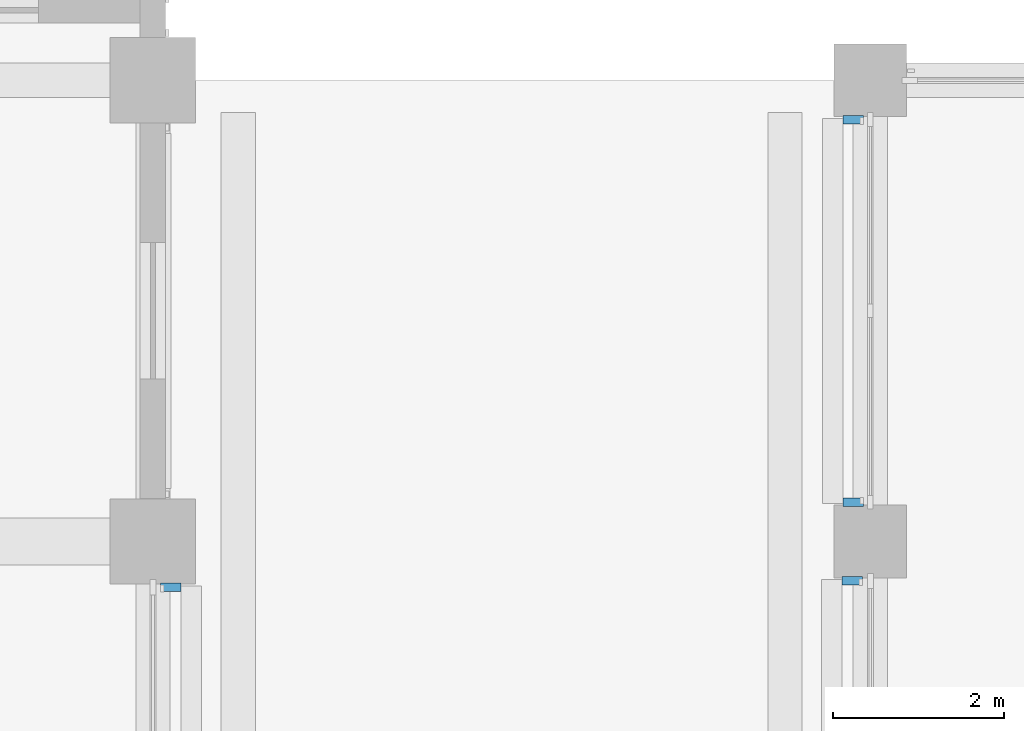
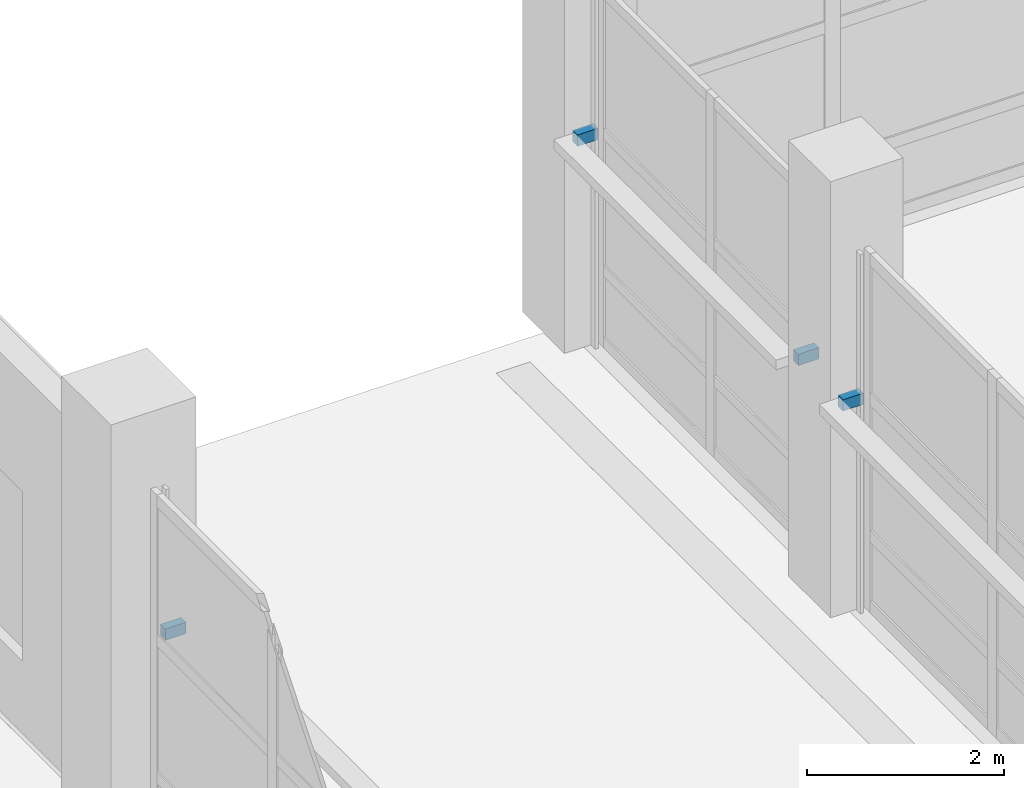
# One storey, part 88 of 140: 4 discrete accessories.
"""IFC4 building model written with IfcOpenShell, lengths in metres."""

from ifc_helpers import new_model, si_unit, direction, frame, origin, origin_2d, place, context, subcontext, project, spatial, rectangle, extrude, material, type_object, element, save


model = new_model("IFC4")

# Units and contexts
model_context = context("Model", 3, precision=1e-05, world=origin(), true_north=direction((0.0, 1.0)))
body_context = subcontext(model_context, "Body", "Model", "MODEL_VIEW")
ifc_project = project(units=[si_unit("LENGTHUNIT", "METRE"), si_unit("AREAUNIT", "SQUARE_METRE"), si_unit("VOLUMEUNIT", "CUBIC_METRE"), si_unit("PLANEANGLEUNIT", "RADIAN"), si_unit("MASSUNIT", "GRAM", prefix="KILO")], contexts=[model_context])

# Site, building, storey
site_placement = place(None, origin())
site = spatial("IfcSite", under=ifc_project, at=site_placement, CompositionType="ELEMENT")
building_placement = place(site_placement, origin())
building = spatial("IfcBuilding", under=site, at=building_placement, Name="Telukmera Botanical Conservatory", CompositionType="ELEMENT")
storey_placement = place(building_placement, origin())
storey = spatial("IfcBuildingStorey", under=building, at=storey_placement, Name="L00", CompositionType="ELEMENT", Elevation=0.0)

# Discrete accessories
ifc_material = material(Name="Steel S355", Category="steel")
discrete_accessory_type = type_object("IfcDiscreteAccessoryType", Name="Structural Steel Facade Outrigger Fin Bracket", PredefinedType="BRACKET", material=ifc_material)
for number, where, z_axis, x_axis, name in (
    (1, (117.389892578125, 42.337890625, 2.580078125), (0.0, 0.0, 1.0), (0.0, 1.0, 0.0), "Facade Outrigger Bracket V1:L00:W3 B"),
    (2, (117.39990234375, 43.259521484375, 2.580078125), (0.0, 0.0, 1.0), (0.0, 1.0, 0.0), "Facade Outrigger Bracket V1:L00:W4 A"),
    (3, (117.39990234375, 47.740478515625, 2.580078125), (0.0, 0.0, 1.0), (0.0, 1.0, 0.0), "Facade Outrigger Bracket V1:L00:W4 B"),
    (4, (109.409912109375, 42.262939453125, 2.580078125), (0.0, 0.0, 1.0), (0.0, 1.0, 0.0), "Facade Outrigger Bracket V4:L00:E4 B"),
):
    element("IfcDiscreteAccessory", number, at=place(storey_placement, frame(where, z_axis=z_axis, x_axis=x_axis)), inside=storey, type_object=discrete_accessory_type, Name=name, PredefinedType="BRACKET", context=body_context, shape_type="SweptSolid", body=[
        extrude(rectangle(XDim=0.10009765625, YDim=0.239990234375, at=origin_2d()), origin(), (0.0, 0.0, 1.0), 0.139892578125),
    ])

save(model, "model.ifc")
